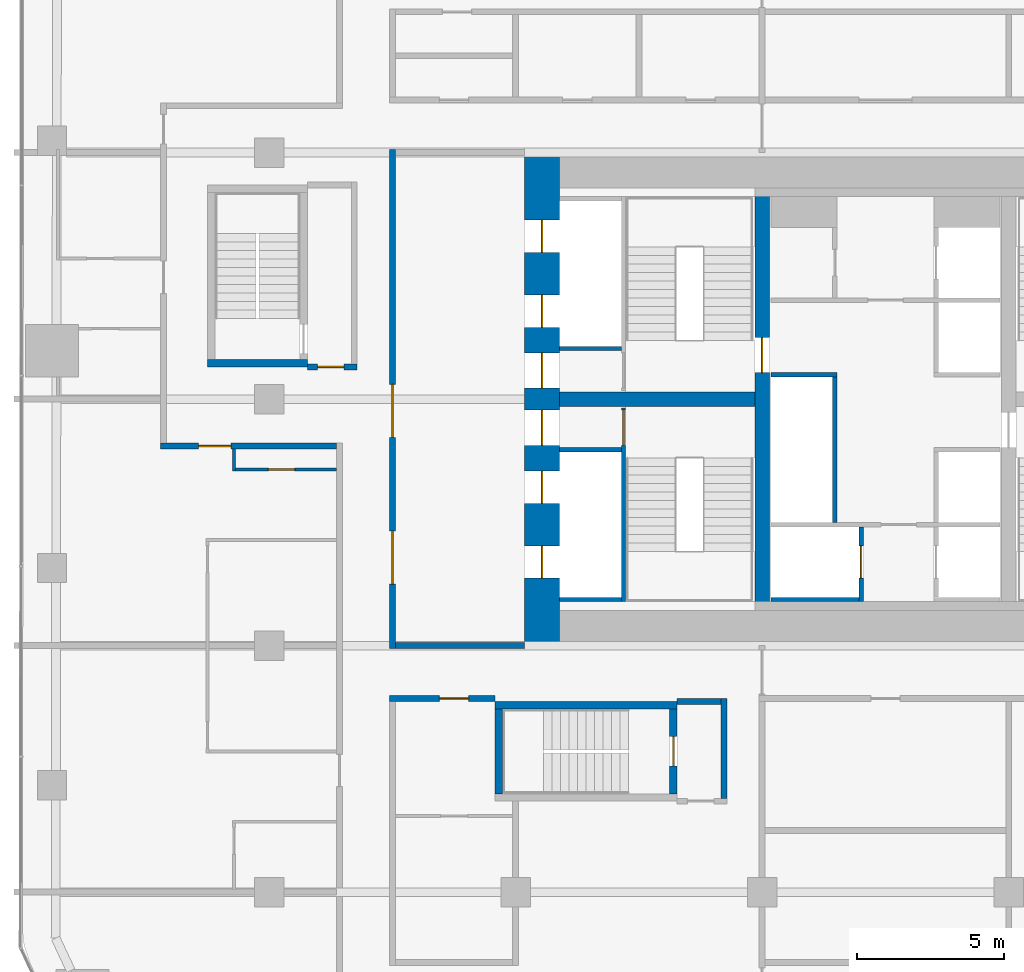
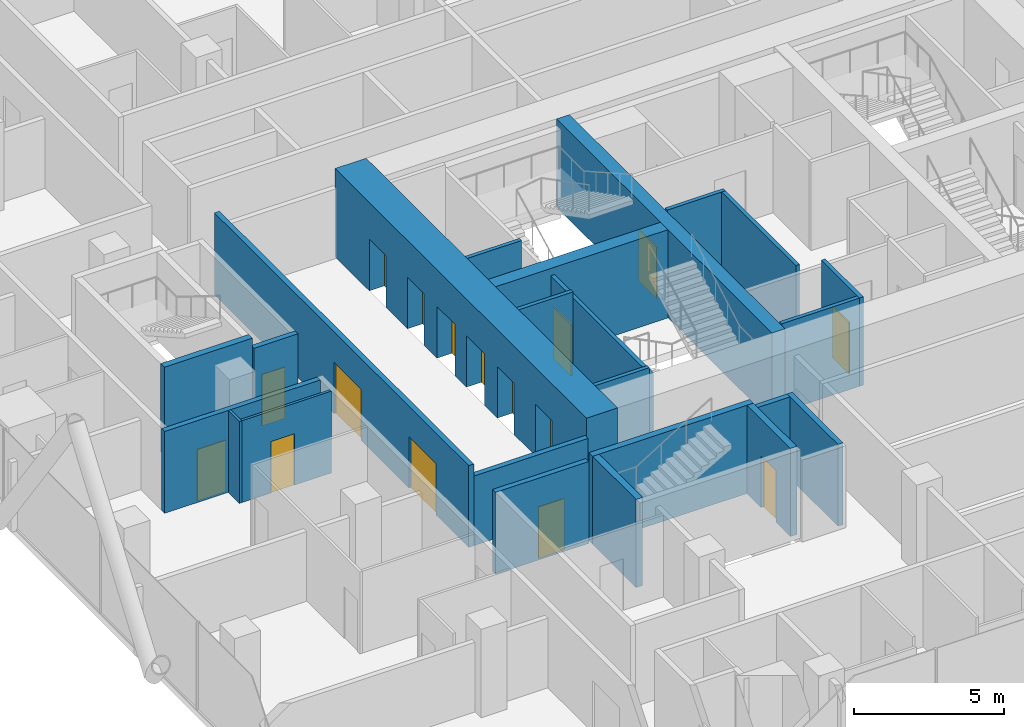
# One storey, part 25 of 34: 24 walls, 16 doors, 16 openings.
"""IFC4 building model written with IfcOpenShell, lengths in metres."""

from ifc_helpers import new_model, si_unit, direction, frame, frame_2d, origin, place, context, subcontext, project, spatial, rectangle, extrude, material, layer, layer_set, type_object, element, fill, save


model = new_model("IFC4")

# Units and contexts
model_context = context("Model", 3, precision=1e-05, world=origin(), true_north=direction((0.0, 1.0)))
body_context = subcontext(model_context, "Body", "Model", "MODEL_VIEW")
ifc_project = project(units=[si_unit("LENGTHUNIT", "METRE"), si_unit("AREAUNIT", "SQUARE_METRE"), si_unit("VOLUMEUNIT", "CUBIC_METRE"), si_unit("PLANEANGLEUNIT", "RADIAN"), si_unit("MASSUNIT", "GRAM", prefix="KILO")], contexts=[model_context])

# Site, building, storey
site_placement = place(None, origin())
site = spatial("IfcSite", under=ifc_project, at=site_placement, CompositionType="ELEMENT")
building_placement = place(site_placement, origin())
building = spatial("IfcBuilding", under=site, at=building_placement, Name="Marenta Gate Hotel Tower", CompositionType="ELEMENT")
storey_placement = place(building_placement, frame((0.0, 0.0, 47.300048828125)))
storey = spatial("IfcBuildingStorey", under=building, at=storey_placement, Name="L09", CompositionType="ELEMENT", Elevation=47.300048828125)

# Wall, openings, doors
ifc_material_1 = material(Name="Concrete blockwork", Category="masonry")
ifc_layer_1 = layer(ifc_material_1, 0.199951171875)
ifc_layer_set_1 = layer_set([ifc_layer_1], Name="Concrete blockwork")
wall_type_1 = type_object("IfcWallType", Name="Core boundary wall 200 REI 180", PredefinedType="PARTITIONING", material=ifc_layer_set_1)
wall_1_placement = place(storey_placement, frame((-16.800048828125, -0.10009765625, 0.0), z_axis=(0.0, 0.0, 1.0), x_axis=(0.0, 1.0, 0.0)))
wall_1 = element("IfcWall", 1, at=wall_1_placement, inside=storey, type_object=wall_type_1, Name="L09-CP-BW-W", PredefinedType="PARTITIONING", context=body_context, shape_type="SweptSolid", body=[
    extrude(rectangle(XDim=17.0, YDim=0.199951171875, at=frame_2d((8.5, 0.0))), origin(), (0.0, 0.0, 1.0), 3.33984375),
])
opening_1_placement = place(wall_1_placement, frame((2.199951171875, 0.0, 0.0)))
opening_1 = element("IfcOpeningElement", 2, at=opening_1_placement, cuts=wall_1, Name="Opening ED-Wa-B", PredefinedType="OPENING", context=body_context, shape_type="SweptSolid", body=[
    extrude(rectangle(XDim=1.800048828125, YDim=2.10009765625, at=frame_2d((0.89990234375, 1.050048828125))), frame((0.0, 0.10009765625, 0.0), z_axis=(0.0, -1.0, 0.0), x_axis=(1.0, 0.0, 0.0)), (0.0, 0.0, 1.0), 0.199951171875),
])
opening_2_placement = place(wall_1_placement, frame((7.199951171875, 0.0, 0.0)))
opening_2 = element("IfcOpeningElement", 3, at=opening_2_placement, cuts=wall_1, Name="Opening ED-Wb-B", PredefinedType="OPENING", context=body_context, shape_type="SweptSolid", body=[
    extrude(rectangle(XDim=1.800048828125, YDim=2.10009765625, at=frame_2d((0.89990234375, 1.050048828125))), frame((0.0, 0.10009765625, 0.0), z_axis=(0.0, -1.0, 0.0), x_axis=(1.0, 0.0, 0.0)), (0.0, 0.0, 1.0), 0.199951171875),
])
ifc_material_2 = material(Name="Steel", Category="steel")
door_type_1 = type_object("IfcDoorType", Name="Core lobby entrance door 1800x2100 EI 60", OperationType="DOUBLE_DOOR_SINGLE_SWING", PredefinedType="DOOR", material=ifc_material_2)
door_1_placement = place(opening_1_placement, origin())
door_1 = element("IfcDoor", 4, at=door_1_placement, inside=storey, type_object=door_type_1, Name="ED-Wa-B", OperationType="DOUBLE_DOOR_SINGLE_SWING", OverallHeight=2.10009765625, OverallWidth=1.800048828125, PredefinedType="DOOR", context=body_context, shape_type="SweptSolid", body=[
    extrude(rectangle(XDim=1.800048828125, YDim=2.10009765625, at=frame_2d((0.89990234375, 1.050048828125))), frame((0.0, 0.02490234375, 0.0), z_axis=(0.0, -1.0, 0.0), x_axis=(1.0, 0.0, 0.0)), (0.0, 0.0, 1.0), 0.050048828125),
])
fill(opening_1, door_1)
door_2_placement = place(opening_2_placement, origin())
door_2 = element("IfcDoor", 5, at=door_2_placement, inside=storey, type_object=door_type_1, Name="ED-Wb-B", OperationType="DOUBLE_DOOR_SINGLE_SWING", OverallHeight=2.10009765625, OverallWidth=1.800048828125, PredefinedType="DOOR", context=body_context, shape_type="SweptSolid", body=[
    extrude(rectangle(XDim=1.800048828125, YDim=2.10009765625, at=frame_2d((0.89990234375, 1.050048828125))), frame((0.0, 0.02490234375, 0.0), z_axis=(0.0, -1.0, 0.0), x_axis=(1.0, 0.0, 0.0)), (0.0, 0.0, 1.0), 0.050048828125),
])
fill(opening_2, door_2)

# Walls
wall_2_placement = place(storey_placement, frame((-16.699951171875, 0.0, 0.0), z_axis=(0.0, 0.0, 1.0), x_axis=(1.0, 0.0, 0.0)))
element("IfcWall", 6, at=wall_2_placement, inside=storey, type_object=wall_type_1, Name="L09-CP-EW-WS", PredefinedType="PARTITIONING", context=body_context, shape_type="SweptSolid", body=[
    extrude(rectangle(XDim=4.39990234375, YDim=0.199951171875, at=frame_2d((2.199951171875, 0.0))), origin(), (0.0, 0.0, 1.0), 2.83984375),
])
ifc_material_3 = material(Name="Concrete C40", Category="concrete")
ifc_layer_2 = layer(ifc_material_3, 0.14990234375)
ifc_layer_set_2 = layer_set([ifc_layer_2], Name="Concrete C40")
wall_type_2 = type_object("IfcWallType", Name="Core shaft wall 150 REI 180", PredefinedType="SHEAR", material=ifc_layer_set_2)
for number, where, z_axis, x_axis, name in (
    (7, (-11.10009765625, 6.675048828125, 0.0), (0.0, 0.0, 1.0), (1.0, 0.0, 0.0), "L09-SHF-SW-WS-2"),
    (8, (-11.10009765625, 1.574951171875, 0.0), (0.0, 0.0, 1.0), (1.0, 0.0, 0.0), "L09-SHF-SW-WS-5"),
    (9, (-11.10009765625, 10.125, 0.0), (0.0, 0.0, 1.0), (1.0, 0.0, 0.0), "L09-SHF-SW-WN-2"),
):
    element("IfcWall", number, at=place(storey_placement, frame(where, z_axis=z_axis, x_axis=x_axis)), inside=storey, type_object=wall_type_2, Name=name, PredefinedType="SHEAR", context=body_context, shape_type="SweptSolid", body=[
        extrude(rectangle(XDim=2.10009765625, YDim=0.14990234375, at=frame_2d((1.050048828125, 0.0))), origin(), (0.0, 0.0, 1.0), 3.599853515625),
    ])

# Wall, opening, door
wall_3_placement = place(storey_placement, frame((-0.824951171875, 1.5, 0.0), z_axis=(0.0, 0.0, 1.0), x_axis=(0.0, 1.0, 0.0)))
wall_3 = element("IfcWall", 10, at=wall_3_placement, inside=storey, type_object=wall_type_2, Name="L09-SHF-CW-W-ff", PredefinedType="SHEAR", context=body_context, shape_type="SweptSolid", body=[
    extrude(rectangle(XDim=2.550048828125, YDim=0.14990234375, at=frame_2d((1.27490234375, 0.0))), origin(), (0.0, 0.0, 1.0), 3.599853515625),
])
opening_3_placement = place(wall_3_placement, frame((0.800048828125, 0.0, 0.0)))
opening_3 = element("IfcOpeningElement", 11, at=opening_3_placement, cuts=wall_3, Name="Opening LD-FF1", PredefinedType="OPENING", context=body_context, shape_type="SweptSolid", body=[
    extrude(rectangle(XDim=1.10009765625, YDim=2.10009765625, at=frame_2d((0.550048828125, 1.050048828125))), frame((0.0, 0.074951171875, 0.0), z_axis=(0.0, -1.0, 0.0), x_axis=(1.0, 0.0, 0.0)), (0.0, 0.0, 1.0), 0.14990234375),
])
ifc_material_4 = material(Name="Steel", Category="steel")
door_type_2 = type_object("IfcDoorType", Name="Core lift landing door 1100x2100 E 60", OperationType="SLIDING_TO_LEFT", PredefinedType="DOOR", material=ifc_material_4)
door_3_placement = place(opening_3_placement, origin())
door_3 = element("IfcDoor", 12, at=door_3_placement, inside=storey, type_object=door_type_2, Name="LD-FF1", OperationType="SLIDING_TO_LEFT", OverallHeight=2.10009765625, OverallWidth=1.10009765625, PredefinedType="DOOR", context=body_context, shape_type="SweptSolid", body=[
    extrude(rectangle(XDim=1.10009765625, YDim=2.10009765625, at=frame_2d((0.550048828125, 1.050048828125))), frame((0.0, 0.02490234375, 0.0), z_axis=(0.0, -1.0, 0.0), x_axis=(1.0, 0.0, 0.0)), (0.0, 0.0, 1.0), 0.050048828125),
])
fill(opening_3, door_3)

# Walls
wall_4_placement = place(storey_placement, frame((-3.89990234375, 1.574951171875, 0.0), z_axis=(0.0, 0.0, 1.0), x_axis=(1.0, 0.0, 0.0)))
element("IfcWall", 13, at=wall_4_placement, inside=storey, type_object=wall_type_2, Name="L09-SHF-CW-W-ffs", PredefinedType="SHEAR", context=body_context, shape_type="SweptSolid", body=[
    extrude(rectangle(XDim=3.0, YDim=0.14990234375, at=frame_2d((1.5, 0.0))), origin(), (0.0, 0.0, 1.0), 3.599853515625),
])
wall_5_placement = place(storey_placement, frame((-1.72509765625, 4.199951171875, 0.0), z_axis=(0.0, 0.0, 1.0), x_axis=(0.0, 1.0, 0.0)))
element("IfcWall", 14, at=wall_5_placement, inside=storey, type_object=wall_type_2, Name="L09-SHF-CW-W-front", PredefinedType="SHEAR", context=body_context, shape_type="SweptSolid", body=[
    extrude(rectangle(XDim=4.949951171875, YDim=0.14990234375, at=frame_2d((2.47509765625, 0.0))), origin(), (0.0, 0.0, 1.0), 3.599853515625),
])
wall_6_placement = place(storey_placement, frame((-3.89990234375, 9.22509765625, 0.0), z_axis=(0.0, 0.0, 1.0), x_axis=(1.0, 0.0, 0.0)))
element("IfcWall", 15, at=wall_6_placement, inside=storey, type_object=wall_type_2, Name="L09-SHF-CW-W-sep", PredefinedType="SHEAR", context=body_context, shape_type="SweptSolid", body=[
    extrude(rectangle(XDim=2.25, YDim=0.14990234375, at=frame_2d((1.125, 0.0))), origin(), (0.0, 0.0, 1.0), 3.599853515625),
])

# Wall, opening, door
ifc_material_5 = material(Name="Concrete C40", Category="concrete")
ifc_layer_3 = layer(ifc_material_5, 0.14990234375)
ifc_layer_set_3 = layer_set([ifc_layer_3], Name="Concrete C40")
wall_type_3 = type_object("IfcWallType", Name="Core stair enclosure wall 150 REI 180", PredefinedType="SHEAR", material=ifc_layer_set_3)
wall_7_placement = place(storey_placement, frame((-8.925048828125, 1.5, 0.0), z_axis=(0.0, 0.0, 1.0), x_axis=(0.0, 1.0, 0.0)))
wall_7 = element("IfcWall", 16, at=wall_7_placement, inside=storey, type_object=wall_type_3, Name="L09-SHF-SW-WS-3", PredefinedType="SHEAR", context=body_context, shape_type="SweptSolid", body=[
    extrude(rectangle(XDim=6.60009765625, YDim=0.14990234375, at=frame_2d((3.300048828125, 0.0))), origin(), (0.0, 0.0, 1.0), 3.33984375),
])
opening_4_placement = place(wall_7_placement, frame((5.324951171875, 0.0, 0.0)))
opening_4 = element("IfcOpeningElement", 17, at=opening_4_placement, cuts=wall_7, Name="Opening SD-WS", PredefinedType="OPENING", context=body_context, shape_type="SweptSolid", body=[
    extrude(rectangle(XDim=1.199951171875, YDim=2.10009765625, at=frame_2d((0.60009765625, 1.050048828125))), frame((0.0, 0.074951171875, 0.0), z_axis=(0.0, -1.0, 0.0), x_axis=(1.0, 0.0, 0.0)), (0.0, 0.0, 1.0), 0.14990234375),
])
ifc_material_6 = material(Name="Steel", Category="steel")
door_type_3 = type_object("IfcDoorType", Name="Core stair door 1200x2100 FD60", OperationType="SINGLE_SWING_LEFT", PredefinedType="DOOR", material=ifc_material_6)
door_4_placement = place(opening_4_placement, origin())
door_4 = element("IfcDoor", 18, at=door_4_placement, inside=storey, type_object=door_type_3, Name="SD-WS", OperationType="SINGLE_SWING_LEFT", OverallHeight=2.10009765625, OverallWidth=1.199951171875, PredefinedType="DOOR", context=body_context, shape_type="SweptSolid", body=[
    extrude(rectangle(XDim=1.199951171875, YDim=2.10009765625, at=frame_2d((0.60009765625, 1.050048828125))), frame((0.0, 0.02490234375, 0.0), z_axis=(0.0, -1.0, 0.0), x_axis=(1.0, 0.0, 0.0)), (0.0, 0.0, 1.0), 0.050048828125),
])
fill(opening_4, door_4)

# Wall, openings, doors
ifc_material_7 = material(Name="Concrete C80", Category="concrete")
ifc_layer_4 = layer(ifc_material_7, 1.199951171875)
ifc_layer_set_4 = layer_set([ifc_layer_4], Name="Concrete C80")
wall_type_4 = type_object("IfcWallType", Name="Core wall 1200 C80", PredefinedType="SHEAR", material=ifc_layer_set_4)
wall_8_placement = place(storey_placement, frame((-11.699951171875, 0.0, 0.0), z_axis=(0.0, 0.0, 1.0), x_axis=(0.0, 1.0, 0.0)))
wall_8 = element("IfcWall", 19, at=wall_8_placement, inside=storey, type_object=wall_type_4, Name="L09-CORE-W", PredefinedType="SHEAR", context=body_context, shape_type="SweptSolid", body=[
    extrude(rectangle(XDim=16.800048828125, YDim=1.199951171875, at=frame_2d((8.39990234375, 0.0))), origin(), (0.0, 0.0, 1.0), 3.599853515625),
])
opening_5_placement = place(wall_8_placement, frame((2.300048828125, 0.0, 0.0)))
opening_5 = element("IfcOpeningElement", 20, at=opening_5_placement, cuts=wall_8, Name="Opening LD-LR1", PredefinedType="OPENING", context=body_context, shape_type="SweptSolid", body=[
    extrude(rectangle(XDim=1.10009765625, YDim=2.10009765625, at=frame_2d((0.550048828125, 1.050048828125))), frame((0.0, 0.60009765625, 0.0), z_axis=(0.0, -1.0, 0.0), x_axis=(1.0, 0.0, 0.0)), (0.0, 0.0, 1.0), 1.199951171875),
])
opening_6_placement = place(wall_8_placement, frame((4.85009765625, 0.0, 0.0)))
opening_6 = element("IfcOpeningElement", 21, at=opening_6_placement, cuts=wall_8, Name="Opening LD-LR2", PredefinedType="OPENING", context=body_context, shape_type="SweptSolid", body=[
    extrude(rectangle(XDim=1.10009765625, YDim=2.10009765625, at=frame_2d((0.550048828125, 1.050048828125))), frame((0.0, 0.60009765625, 0.0), z_axis=(0.0, -1.0, 0.0), x_axis=(1.0, 0.0, 0.0)), (0.0, 0.0, 1.0), 1.199951171875),
])
opening_7_placement = place(wall_8_placement, frame((6.824951171875, 0.0, 0.0)))
opening_7 = element("IfcOpeningElement", 22, at=opening_7_placement, cuts=wall_8, Name="Opening PD-WS", PredefinedType="OPENING", context=body_context, shape_type="SweptSolid", body=[
    extrude(rectangle(XDim=1.199951171875, YDim=2.10009765625, at=frame_2d((0.60009765625, 1.050048828125))), frame((0.0, 0.60009765625, 0.0), z_axis=(0.0, -1.0, 0.0), x_axis=(1.0, 0.0, 0.0)), (0.0, 0.0, 1.0), 1.199951171875),
])
opening_8_placement = place(wall_8_placement, frame((13.39990234375, 0.0, 0.0)))
opening_8 = element("IfcOpeningElement", 23, at=opening_8_placement, cuts=wall_8, Name="Opening LD-LR4", PredefinedType="OPENING", context=body_context, shape_type="SweptSolid", body=[
    extrude(rectangle(XDim=1.10009765625, YDim=2.10009765625, at=frame_2d((0.550048828125, 1.050048828125))), frame((0.0, 0.60009765625, 0.0), z_axis=(0.0, -1.0, 0.0), x_axis=(1.0, 0.0, 0.0)), (0.0, 0.0, 1.0), 1.199951171875),
])
opening_9_placement = place(wall_8_placement, frame((10.85009765625, 0.0, 0.0)))
opening_9 = element("IfcOpeningElement", 24, at=opening_9_placement, cuts=wall_8, Name="Opening LD-LR3", PredefinedType="OPENING", context=body_context, shape_type="SweptSolid", body=[
    extrude(rectangle(XDim=1.10009765625, YDim=2.10009765625, at=frame_2d((0.550048828125, 1.050048828125))), frame((0.0, 0.60009765625, 0.0), z_axis=(0.0, -1.0, 0.0), x_axis=(1.0, 0.0, 0.0)), (0.0, 0.0, 1.0), 1.199951171875),
])
opening_10_placement = place(wall_8_placement, frame((8.77490234375, 0.0, 0.0)))
opening_10 = element("IfcOpeningElement", 25, at=opening_10_placement, cuts=wall_8, Name="Opening PD-WN", PredefinedType="OPENING", context=body_context, shape_type="SweptSolid", body=[
    extrude(rectangle(XDim=1.199951171875, YDim=2.10009765625, at=frame_2d((0.60009765625, 1.050048828125))), frame((0.0, 0.60009765625, 0.0), z_axis=(0.0, -1.0, 0.0), x_axis=(1.0, 0.0, 0.0)), (0.0, 0.0, 1.0), 1.199951171875),
])
door_5_placement = place(opening_5_placement, origin())
door_5 = element("IfcDoor", 26, at=door_5_placement, inside=storey, type_object=door_type_2, Name="LD-LR1", OperationType="SLIDING_TO_LEFT", OverallHeight=2.10009765625, OverallWidth=1.10009765625, PredefinedType="DOOR", context=body_context, shape_type="SweptSolid", body=[
    extrude(rectangle(XDim=1.10009765625, YDim=2.10009765625, at=frame_2d((0.550048828125, 1.050048828125))), frame((0.0, 0.02490234375, 0.0), z_axis=(0.0, -1.0, 0.0), x_axis=(1.0, 0.0, 0.0)), (0.0, 0.0, 1.0), 0.050048828125),
])
fill(opening_5, door_5)
door_6_placement = place(opening_6_placement, origin())
door_6 = element("IfcDoor", 27, at=door_6_placement, inside=storey, type_object=door_type_2, Name="LD-LR2", OperationType="SLIDING_TO_LEFT", OverallHeight=2.10009765625, OverallWidth=1.10009765625, PredefinedType="DOOR", context=body_context, shape_type="SweptSolid", body=[
    extrude(rectangle(XDim=1.10009765625, YDim=2.10009765625, at=frame_2d((0.550048828125, 1.050048828125))), frame((0.0, 0.02490234375, 0.0), z_axis=(0.0, -1.0, 0.0), x_axis=(1.0, 0.0, 0.0)), (0.0, 0.0, 1.0), 0.050048828125),
])
fill(opening_6, door_6)
door_7_placement = place(opening_8_placement, origin())
door_7 = element("IfcDoor", 28, at=door_7_placement, inside=storey, type_object=door_type_2, Name="LD-LR4", OperationType="SLIDING_TO_LEFT", OverallHeight=2.10009765625, OverallWidth=1.10009765625, PredefinedType="DOOR", context=body_context, shape_type="SweptSolid", body=[
    extrude(rectangle(XDim=1.10009765625, YDim=2.10009765625, at=frame_2d((0.550048828125, 1.050048828125))), frame((0.0, 0.02490234375, 0.0), z_axis=(0.0, -1.0, 0.0), x_axis=(1.0, 0.0, 0.0)), (0.0, 0.0, 1.0), 0.050048828125),
])
fill(opening_8, door_7)
door_8_placement = place(opening_9_placement, origin())
door_8 = element("IfcDoor", 29, at=door_8_placement, inside=storey, type_object=door_type_2, Name="LD-LR3", OperationType="SLIDING_TO_LEFT", OverallHeight=2.10009765625, OverallWidth=1.10009765625, PredefinedType="DOOR", context=body_context, shape_type="SweptSolid", body=[
    extrude(rectangle(XDim=1.10009765625, YDim=2.10009765625, at=frame_2d((0.550048828125, 1.050048828125))), frame((0.0, 0.02490234375, 0.0), z_axis=(0.0, -1.0, 0.0), x_axis=(1.0, 0.0, 0.0)), (0.0, 0.0, 1.0), 0.050048828125),
])
fill(opening_9, door_8)
ifc_material_8 = material(Name="Steel", Category="steel")
door_type_4 = type_object("IfcDoorType", Name="Core lobby door 1200x2100 FD60", OperationType="SINGLE_SWING_LEFT", PredefinedType="DOOR", material=ifc_material_8)
door_9_placement = place(opening_7_placement, origin())
door_9 = element("IfcDoor", 30, at=door_9_placement, inside=storey, type_object=door_type_4, Name="PD-WS", OperationType="SINGLE_SWING_LEFT", OverallHeight=2.10009765625, OverallWidth=1.199951171875, PredefinedType="DOOR", context=body_context, shape_type="SweptSolid", body=[
    extrude(rectangle(XDim=1.199951171875, YDim=2.10009765625, at=frame_2d((0.60009765625, 1.050048828125))), frame((0.0, 0.02490234375, 0.0), z_axis=(0.0, -1.0, 0.0), x_axis=(1.0, 0.0, 0.0)), (0.0, 0.0, 1.0), 0.050048828125),
])
fill(opening_7, door_9)
door_10_placement = place(opening_10_placement, origin())
door_10 = element("IfcDoor", 31, at=door_10_placement, inside=storey, type_object=door_type_4, Name="PD-WN", OperationType="SINGLE_SWING_LEFT", OverallHeight=2.10009765625, OverallWidth=1.199951171875, PredefinedType="DOOR", context=body_context, shape_type="SweptSolid", body=[
    extrude(rectangle(XDim=1.199951171875, YDim=2.10009765625, at=frame_2d((0.60009765625, 1.050048828125))), frame((0.0, 0.02490234375, 0.0), z_axis=(0.0, -1.0, 0.0), x_axis=(1.0, 0.0, 0.0)), (0.0, 0.0, 1.0), 0.050048828125),
])
fill(opening_10, door_10)

# Wall, opening, door
ifc_material_9 = material(Name="Concrete C80", Category="concrete")
ifc_layer_5 = layer(ifc_material_9, 0.5)
ifc_layer_set_5 = layer_set([ifc_layer_5], Name="Concrete C80")
wall_type_5 = type_object("IfcWallType", Name="Core web 500 C80", PredefinedType="SHEAR", material=ifc_layer_set_5)
wall_9_placement = place(storey_placement, frame((-4.199951171875, 1.199951171875, 0.0), z_axis=(0.0, 0.0, 1.0), x_axis=(0.0, 1.0, 0.0)))
wall_9 = element("IfcWall", 32, at=wall_9_placement, inside=storey, type_object=wall_type_5, Name="L09-CORE-W1", PredefinedType="SHEAR", context=body_context, shape_type="SweptSolid", body=[
    extrude(rectangle(XDim=14.400146484375, YDim=0.5, at=frame_2d((7.2001953125, 0.0))), origin(), (0.0, 0.0, 1.0), 3.599853515625),
])
opening_11_placement = place(wall_9_placement, frame((8.10009765625, 0.0, 0.0)))
opening_11 = element("IfcOpeningElement", 33, at=opening_11_placement, cuts=wall_9, Name="Opening WD-W", PredefinedType="OPENING", context=body_context, shape_type="SweptSolid", body=[
    extrude(rectangle(XDim=1.199951171875, YDim=2.10009765625, at=frame_2d((0.60009765625, 1.050048828125))), frame((0.0, 0.25, 0.0), z_axis=(0.0, -1.0, 0.0), x_axis=(1.0, 0.0, 0.0)), (0.0, 0.0, 1.0), 0.5),
])
door_11_placement = place(opening_11_placement, origin())
door_11 = element("IfcDoor", 34, at=door_11_placement, inside=storey, type_object=door_type_3, Name="WD-W", OperationType="SINGLE_SWING_LEFT", OverallHeight=2.10009765625, OverallWidth=1.199951171875, PredefinedType="DOOR", context=body_context, shape_type="SweptSolid", body=[
    extrude(rectangle(XDim=1.199951171875, YDim=2.10009765625, at=frame_2d((0.60009765625, 1.050048828125))), frame((0.0, 0.02490234375, 0.0), z_axis=(0.0, -1.0, 0.0), x_axis=(1.0, 0.0, 0.0)), (0.0, 0.0, 1.0), 0.050048828125),
])
fill(opening_11, door_11)

# Walls
wall_10_placement = place(storey_placement, frame((-11.10009765625, 8.39990234375, 0.0), z_axis=(0.0, 0.0, 1.0), x_axis=(1.0, 0.0, 0.0)))
element("IfcWall", 35, at=wall_10_placement, inside=storey, type_object=wall_type_5, Name="L09-CORE-W3", PredefinedType="SHEAR", context=body_context, shape_type="SweptSolid", body=[
    extrude(rectangle(XDim=6.650146484375, YDim=0.5, at=frame_2d((3.3251953125, 0.0))), origin(), (0.0, 0.0, 1.0), 3.599853515625),
])
ifc_material_10 = material(Name="Concrete C40", Category="concrete")
ifc_layer_6 = layer(ifc_material_10, 0.25)
ifc_layer_set_6 = layer_set([ifc_layer_6], Name="Concrete C40")
wall_type_6 = type_object("IfcWallType", Name="Remote stair enclosure wall 250 REI 180", PredefinedType="SHEAR", material=ifc_layer_set_6)
wall_11_placement = place(storey_placement, frame((-13.300048828125, -2.02490234375, 0.099853515625), z_axis=(0.0, 0.0, 1.0), x_axis=(1.0, 0.0, 0.0)))
element("IfcWall", 36, at=wall_11_placement, inside=storey, type_object=wall_type_6, Name="L09-RS-Z1-2-W2", PredefinedType="SHEAR", context=body_context, shape_type="SweptSolid", body=[
    extrude(rectangle(XDim=6.199951171875, YDim=0.25, at=frame_2d((3.10009765625, 0.0))), origin(), (0.0, 0.0, 1.0), 3.60009765625),
])
wall_12_placement = place(storey_placement, frame((-13.175048828125, -5.050048828125, 0.099853515625), z_axis=(0.0, 0.0, 1.0), x_axis=(0.0, 1.0, 0.0)))
element("IfcWall", 37, at=wall_12_placement, inside=storey, type_object=wall_type_6, Name="L09-RS-Z1-2-W3", PredefinedType="SHEAR", context=body_context, shape_type="SweptSolid", body=[
    extrude(rectangle(XDim=2.900146484375, YDim=0.25, at=frame_2d((1.4501953125, 0.0))), origin(), (0.0, 0.0, 1.0), 3.60009765625),
])

# Wall, opening, door
wall_13_placement = place(storey_placement, frame((-7.22509765625, -5.050048828125, 0.099853515625), z_axis=(0.0, 0.0, 1.0), x_axis=(0.0, 1.0, 0.0)))
wall_13 = element("IfcWall", 38, at=wall_13_placement, inside=storey, type_object=wall_type_6, Name="L09-RS-Z1-2-W4", PredefinedType="SHEAR", context=body_context, shape_type="SweptSolid", body=[
    extrude(rectangle(XDim=2.900146484375, YDim=0.25, at=frame_2d((1.4501953125, 0.0))), origin(), (0.0, 0.0, 1.0), 3.60009765625),
])
opening_12_placement = place(wall_13_placement, frame((0.949951171875, 0.0, 0.0)))
opening_12 = element("IfcOpeningElement", 39, at=opening_12_placement, cuts=wall_13, Name="Opening VD", PredefinedType="OPENING", context=body_context, shape_type="SweptSolid", body=[
    extrude(rectangle(XDim=1.0, YDim=2.10009765625, at=frame_2d((0.5, 1.050048828125))), frame((0.0, 0.125, 0.0), z_axis=(0.0, -1.0, 0.0), x_axis=(1.0, 0.0, 0.0)), (0.0, 0.0, 1.0), 0.25),
])
ifc_material_11 = material(Name="Steel", Category="steel")
door_type_5 = type_object("IfcDoorType", Name="Stair vestibule door 1000x2100 FD60", OperationType="SINGLE_SWING_LEFT", PredefinedType="DOOR", material=ifc_material_11)
door_12_placement = place(opening_12_placement, origin())
door_12 = element("IfcDoor", 40, at=door_12_placement, inside=storey, type_object=door_type_5, Name="VD", OperationType="SINGLE_SWING_LEFT", OverallHeight=2.10009765625, OverallWidth=1.0, PredefinedType="DOOR", context=body_context, shape_type="SweptSolid", body=[
    extrude(rectangle(XDim=1.0, YDim=2.10009765625, at=frame_2d((0.5, 1.050048828125))), frame((0.0, 0.02490234375, 0.0), z_axis=(0.0, -1.0, 0.0), x_axis=(1.0, 0.0, 0.0)), (0.0, 0.0, 1.0), 0.050048828125),
])
fill(opening_12, door_12)

# Wall
wall_14_placement = place(storey_placement, frame((-23.10009765625, 9.625, 0.099853515625), z_axis=(0.0, 0.0, 1.0), x_axis=(1.0, 0.0, 0.0)))
element("IfcWall", 41, at=wall_14_placement, inside=storey, type_object=wall_type_6, Name="L09-RS-Z1-3-W1", PredefinedType="SHEAR", context=body_context, shape_type="SweptSolid", body=[
    extrude(rectangle(XDim=3.400146484375, YDim=0.25, at=frame_2d((1.7001953125, 0.0))), origin(), (0.0, 0.0, 1.0), 3.60009765625),
])

# Wall, opening, door
ifc_material_12 = material(Name="Gypsum board on steel stud", Category="steel")
ifc_layer_7 = layer(ifc_material_12, 0.199951171875)
ifc_layer_set_7 = layer_set([ifc_layer_7], Name="Gypsum board on steel stud")
wall_type_7 = type_object("IfcWallType", Name="Room corridor wall 200 EI 60", PredefinedType="PARTITIONING", material=ifc_layer_set_7)
wall_15_placement = place(storey_placement, frame((-16.89990234375, -1.800048828125, 0.0), z_axis=(0.0, 0.0, 1.0), x_axis=(1.0, 0.0, 0.0)))
wall_15 = element("IfcWall", 42, at=wall_15_placement, inside=storey, type_object=wall_type_7, Name="L09-PTN-W057", PredefinedType="PARTITIONING", context=body_context, shape_type="SweptSolid", body=[
    extrude(rectangle(XDim=3.599853515625, YDim=0.199951171875, at=frame_2d((1.7998046875, 0.0))), origin(), (0.0, 0.0, 1.0), 3.33984375),
])
opening_13_placement = place(wall_15_placement, frame((1.699951171875, 0.0, 0.0)))
opening_13 = element("IfcOpeningElement", 43, at=opening_13_placement, cuts=wall_15, Name="Opening G03-04", PredefinedType="OPENING", context=body_context, shape_type="SweptSolid", body=[
    extrude(rectangle(XDim=1.0, YDim=2.10009765625, at=frame_2d((0.5, 1.050048828125))), frame((0.0, 0.10009765625, 0.0), z_axis=(0.0, -1.0, 0.0), x_axis=(1.0, 0.0, 0.0)), (0.0, 0.0, 1.0), 0.199951171875),
])
ifc_material_13 = material(Name="Hollow steel door set", Category="steel")
door_type_6 = type_object("IfcDoorType", Name="Room service door 1000x2100 EI 30", OperationType="NOTDEFINED", PredefinedType="DOOR", material=ifc_material_13)
door_13_placement = place(opening_13_placement, origin())
door_13 = element("IfcDoor", 44, at=door_13_placement, inside=storey, type_object=door_type_6, Name="L09-PD-D004", OperationType="SINGLE_SWING_RIGHT", OverallHeight=2.10009765625, OverallWidth=1.0, PredefinedType="DOOR", context=body_context, shape_type="SweptSolid", body=[
    extrude(rectangle(XDim=1.0, YDim=2.10009765625, at=frame_2d((0.5, 1.050048828125))), frame((0.0, 0.02490234375, 0.0), z_axis=(0.0, -1.0, 0.0), x_axis=(1.0, 0.0, 0.0)), (0.0, 0.0, 1.0), 0.050048828125),
])
fill(opening_13, door_13)

wall_16_placement = place(storey_placement, frame((-24.699951171875, 6.800048828125, 0.0), z_axis=(0.0, 0.0, 1.0), x_axis=(1.0, 0.0, 0.0)))
wall_16 = element("IfcWall", 45, at=wall_16_placement, inside=storey, type_object=wall_type_7, Name="L09-PTN-W076", PredefinedType="PARTITIONING", context=body_context, shape_type="SweptSolid", body=[
    extrude(rectangle(XDim=6.0, YDim=0.199951171875, at=frame_2d((3.0, 0.0))), origin(), (0.0, 0.0, 1.0), 3.33984375),
])
opening_14_placement = place(wall_16_placement, frame((1.300048828125, 0.0, 0.0)))
opening_14 = element("IfcOpeningElement", 46, at=opening_14_placement, cuts=wall_16, Name="Opening G03-49", PredefinedType="OPENING", context=body_context, shape_type="SweptSolid", body=[
    extrude(rectangle(XDim=1.10009765625, YDim=2.10009765625, at=frame_2d((0.550048828125, 1.050048828125))), frame((0.0, 0.10009765625, 0.0), z_axis=(0.0, -1.0, 0.0), x_axis=(1.0, 0.0, 0.0)), (0.0, 0.0, 1.0), 0.199951171875),
])
ifc_material_14 = material(Name="Timber door leaf", Category="wood")
door_type_7 = type_object("IfcDoorType", Name="Guest room door 1100x2100 EI 30", OperationType="NOTDEFINED", PredefinedType="DOOR", material=ifc_material_14)
door_14_placement = place(opening_14_placement, origin())
door_14 = element("IfcDoor", 47, at=door_14_placement, inside=storey, type_object=door_type_7, Name="L09-PD-D049", OperationType="SINGLE_SWING_LEFT", OverallHeight=2.10009765625, OverallWidth=1.10009765625, PredefinedType="DOOR", context=body_context, shape_type="SweptSolid", body=[
    extrude(rectangle(XDim=1.10009765625, YDim=2.10009765625, at=frame_2d((0.550048828125, 1.050048828125))), frame((0.0, 0.02490234375, 0.0), z_axis=(0.0, -1.0, 0.0), x_axis=(1.0, 0.0, 0.0)), (0.0, 0.0, 1.0), 0.050048828125),
])
fill(opening_14, door_14)

# Walls
ifc_material_15 = material(Name="Concrete blockwork", Category="masonry")
ifc_layer_8 = layer(ifc_material_15, 0.199951171875)
ifc_layer_set_8 = layer_set([ifc_layer_8], Name="Concrete blockwork")
wall_type_8 = type_object("IfcWallType", Name="Room corridor wall 200 REI 180", PredefinedType="PARTITIONING", material=ifc_layer_set_8)
wall_17_placement = place(storey_placement, frame((-7.10009765625, -1.89990234375, 0.0), z_axis=(0.0, 0.0, 1.0), x_axis=(1.0, 0.0, 0.0)))
element("IfcWall", 48, at=wall_17_placement, inside=storey, type_object=wall_type_8, Name="L09-PTN-W055", PredefinedType="PARTITIONING", context=body_context, shape_type="SweptSolid", body=[
    extrude(rectangle(XDim=1.5, YDim=0.199951171875, at=frame_2d((0.75, 0.0))), origin(), (0.0, 0.0, 1.0), 3.33984375),
])
wall_18_placement = place(storey_placement, frame((-5.5, -5.199951171875, 0.0), z_axis=(0.0, 0.0, 1.0), x_axis=(0.0, 1.0, 0.0)))
element("IfcWall", 49, at=wall_18_placement, inside=storey, type_object=wall_type_8, Name="L09-PTN-W072", PredefinedType="PARTITIONING", context=body_context, shape_type="SweptSolid", body=[
    extrude(rectangle(XDim=3.39990234375, YDim=0.199951171875, at=frame_2d((1.699951171875, 0.0))), origin(), (0.0, 0.0, 1.0), 3.33984375),
])

# Wall, opening, door
wall_19_placement = place(storey_placement, frame((-19.699951171875, 9.5, 0.0), z_axis=(0.0, 0.0, 1.0), x_axis=(1.0, 0.0, 0.0)))
wall_19 = element("IfcWall", 50, at=wall_19_placement, inside=storey, type_object=wall_type_8, Name="L09-PTN-W082", PredefinedType="PARTITIONING", context=body_context, shape_type="SweptSolid", body=[
    extrude(rectangle(XDim=1.699951171875, YDim=0.199951171875, at=frame_2d((0.85009765625, 0.0))), origin(), (0.0, 0.0, 1.0), 3.33984375),
])
opening_15_placement = place(wall_19_placement, frame((0.35009765625, 0.0, 0.0)))
opening_15 = element("IfcOpeningElement", 51, at=opening_15_placement, cuts=wall_19, Name="Opening G03-60", PredefinedType="OPENING", context=body_context, shape_type="SweptSolid", body=[
    extrude(rectangle(XDim=0.89990234375, YDim=2.10009765625, at=frame_2d((0.449951171875, 1.050048828125))), frame((0.0, 0.10009765625, 0.0), z_axis=(0.0, -1.0, 0.0), x_axis=(1.0, 0.0, 0.0)), (0.0, 0.0, 1.0), 0.199951171875),
])
ifc_material_16 = material(Name="Hollow steel door set", Category="steel")
door_type_8 = type_object("IfcDoorType", Name="Stair vestibule door 900x2100 EI 60", OperationType="NOTDEFINED", PredefinedType="DOOR", material=ifc_material_16)
door_15_placement = place(opening_15_placement, origin())
door_15 = element("IfcDoor", 52, at=door_15_placement, inside=storey, type_object=door_type_8, Name="L09-PD-D060", OperationType="SINGLE_SWING_RIGHT", OverallHeight=2.10009765625, OverallWidth=0.89990234375, PredefinedType="DOOR", context=body_context, shape_type="SweptSolid", body=[
    extrude(rectangle(XDim=0.89990234375, YDim=2.10009765625, at=frame_2d((0.449951171875, 1.050048828125))), frame((0.0, 0.02490234375, 0.0), z_axis=(0.0, -1.0, 0.0), x_axis=(1.0, 0.0, 0.0)), (0.0, 0.0, 1.0), 0.050048828125),
])
fill(opening_15, door_15)

ifc_material_17 = material(Name="Gypsum board on steel stud", Category="steel")
ifc_layer_9 = layer(ifc_material_17, 0.10009765625)
ifc_layer_set_9 = layer_set([ifc_layer_9], Name="Gypsum board on steel stud")
wall_type_9 = type_object("IfcWallType", Name="Room partition 100", PredefinedType="PARTITIONING", material=ifc_layer_set_9)
wall_20_placement = place(storey_placement, frame((-22.14990234375, 6.0, 0.0), z_axis=(0.0, 0.0, 1.0), x_axis=(1.0, 0.0, 0.0)))
wall_20 = element("IfcWall", 53, at=wall_20_placement, inside=storey, type_object=wall_type_9, Name="L09-PTN-W073", PredefinedType="PARTITIONING", context=body_context, shape_type="SweptSolid", body=[
    extrude(rectangle(XDim=3.449951171875, YDim=0.10009765625, at=frame_2d((1.72509765625, 0.0))), origin(), (0.0, 0.0, 1.0), 3.33984375),
])
opening_16_placement = place(wall_20_placement, frame((1.1201171875, 0.0, 0.0)))
opening_16 = element("IfcOpeningElement", 54, at=opening_16_placement, cuts=wall_20, Name="Opening G03-51", PredefinedType="OPENING", context=body_context, shape_type="SweptSolid", body=[
    extrude(rectangle(XDim=0.89990234375, YDim=2.10009765625, at=frame_2d((0.449951171875, 1.050048828125))), frame((0.0, 0.050048828125, 0.0), z_axis=(0.0, -1.0, 0.0), x_axis=(1.0, 0.0, 0.0)), (0.0, 0.0, 1.0), 0.10009765625),
])
ifc_material_18 = material(Name="Timber door leaf", Category="wood")
door_type_9 = type_object("IfcDoorType", Name="Room inner door 900x2100", OperationType="NOTDEFINED", PredefinedType="DOOR", material=ifc_material_18)
door_16_placement = place(opening_16_placement, origin())
door_16 = element("IfcDoor", 55, at=door_16_placement, inside=storey, type_object=door_type_9, Name="L09-PD-D051", OperationType="SINGLE_SWING_RIGHT", OverallHeight=2.10009765625, OverallWidth=0.89990234375, PredefinedType="DOOR", context=body_context, shape_type="SweptSolid", body=[
    extrude(rectangle(XDim=0.89990234375, YDim=2.10009765625, at=frame_2d((0.449951171875, 1.050048828125))), frame((0.0, 0.02490234375, 0.0), z_axis=(0.0, -1.0, 0.0), x_axis=(1.0, 0.0, 0.0)), (0.0, 0.0, 1.0), 0.050048828125),
])
fill(opening_16, door_16)

# Wall
wall_21_placement = place(storey_placement, frame((-22.199951171875, 5.949951171875, 0.0), z_axis=(0.0, 0.0, 1.0), x_axis=(0.0, 1.0, 0.0)))
element("IfcWall", 56, at=wall_21_placement, inside=storey, type_object=wall_type_9, Name="L09-PTN-W118", PredefinedType="PARTITIONING", context=body_context, shape_type="SweptSolid", body=[
    extrude(rectangle(XDim=0.75, YDim=0.10009765625, at=frame_2d((0.375, 0.0))), origin(), (0.0, 0.0, 1.0), 3.33984375),
])

save(model, "model.ifc")
